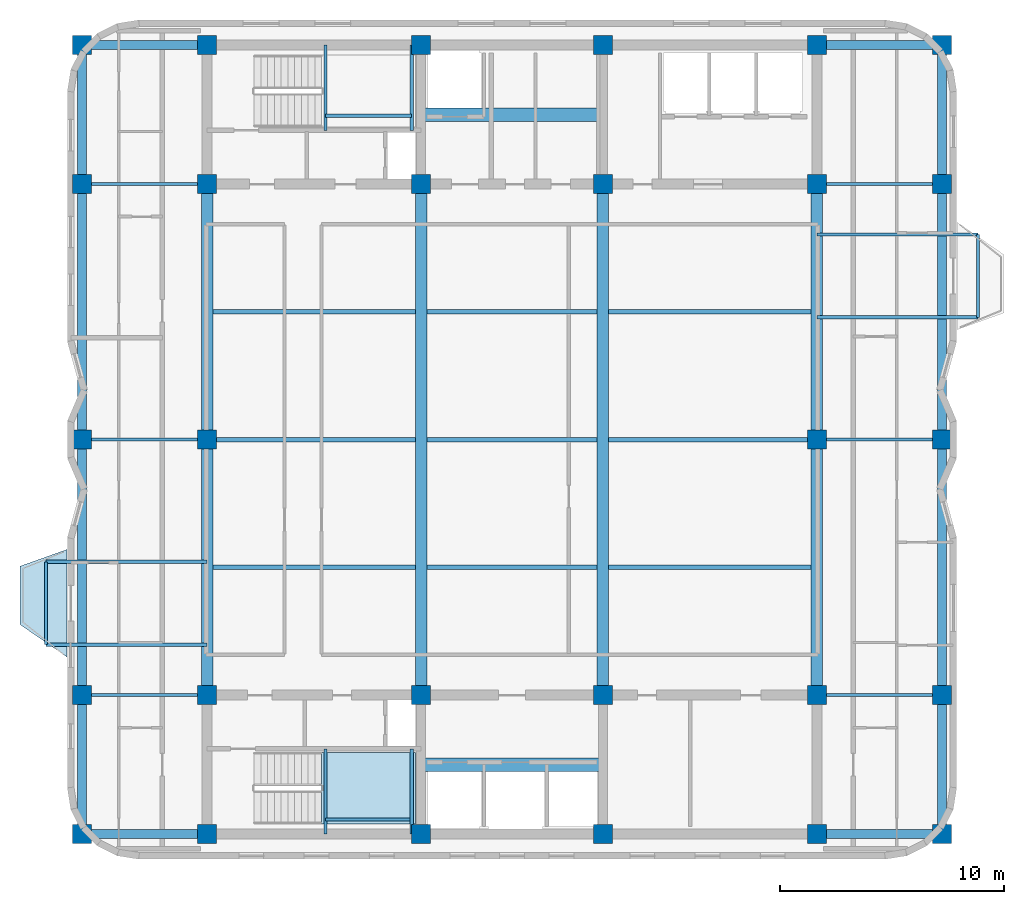
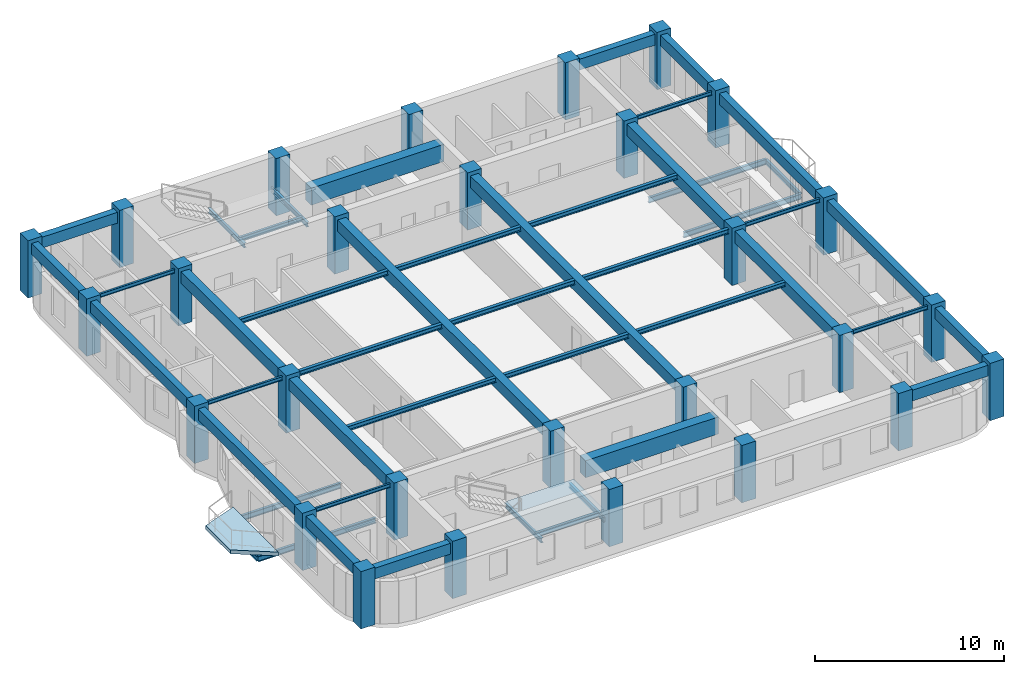
# One storey, part 1 of 8: 47 beams, 28 columns, 2 slabs, 1 element without a shape of its own.
"""IFC4 building model written with IfcOpenShell, lengths in metres."""

from ifc_helpers import new_model, si_unit, direction, frame, origin, origin_2d, place, context, subcontext, project, spatial, polyline, rectangle, i_section, outline, extrude, material, layer, layer_set, material_profile, profile_set, type_object, element, aggregate, save


model = new_model("IFC4")

# Units and contexts
model_context = context("Model", 3, precision=1e-05, world=origin(), true_north=direction((0.0, 1.0)))
body_context = subcontext(model_context, "Body", "Model", "MODEL_VIEW")
ifc_project = project(units=[si_unit("LENGTHUNIT", "METRE"), si_unit("AREAUNIT", "SQUARE_METRE"), si_unit("VOLUMEUNIT", "CUBIC_METRE"), si_unit("PLANEANGLEUNIT", "RADIAN"), si_unit("MASSUNIT", "GRAM", prefix="KILO")], contexts=[model_context])

# Site, building, storey
site_placement = place(None, origin())
site = spatial("IfcSite", under=ifc_project, at=site_placement, CompositionType="ELEMENT")
building_placement = place(site_placement, origin())
building = spatial("IfcBuilding", under=site, at=building_placement, Name="Svetorya Sky Lyceum", CompositionType="ELEMENT")
storey_placement = place(building_placement, frame((0.0, 0.0, 251.699951171875)))
storey = spatial("IfcBuildingStorey", under=building, at=storey_placement, Name="L63", CompositionType="ELEMENT", Elevation=251.699951171875)

# Columns
ifc_material_1 = material(Name="Concrete C50/60", Category="concrete")
ifc_material_profile_1 = material_profile(ifc_material_1, rectangle(XDim=0.85009765625, YDim=0.85009765625, at=origin_2d()), Name="RC COL 850x850")
ifc_profile_set_1 = profile_set([ifc_material_profile_1], Name="Concrete C50/60")
column_type = type_object("IfcColumnType", Name="COL-RC-850", PredefinedType="COLUMN", material=ifc_profile_set_1)
for number, where, z_axis, x_axis, name in (
    (1, (25.60009765625, 10.60009765625, 0.0), (0.0, 0.0, 1.0), (1.0, 0.0, 0.0), "L63 Core Column CS-11"),
    (2, (25.60009765625, 16.800048828125, 0.0), (0.0, 0.0, 1.0), (1.0, 0.0, 0.0), "L63 Core Column CS-12"),
    (3, (35.14990234375, 10.60009765625, 0.0), (0.0, 0.0, 1.0), (1.0, 0.0, 0.0), "L63 Core Column CS-21"),
    (4, (35.14990234375, 16.800048828125, 0.0), (0.0, 0.0, 1.0), (1.0, 0.0, 0.0), "L63 Core Column CS-22"),
    (5, (43.25, 10.60009765625, 0.0), (0.0, 0.0, 1.0), (1.0, 0.0, 0.0), "L63 Core Column CS-31"),
    (6, (43.25, 16.800048828125, 0.0), (0.0, 0.0, 1.0), (1.0, 0.0, 0.0), "L63 Core Column CS-32"),
    (7, (52.800048828125, 10.60009765625, 0.0), (0.0, 0.0, 1.0), (1.0, 0.0, 0.0), "L63 Core Column CS-41"),
    (8, (52.800048828125, 16.800048828125, 0.0), (0.0, 0.0, 1.0), (1.0, 0.0, 0.0), "L63 Core Column CS-42"),
    (9, (25.60009765625, 39.60009765625, 0.0), (0.0, 0.0, 1.0), (1.0, 0.0, 0.0), "L63 Core Column CN-11"),
    (10, (25.60009765625, 45.800048828125, 0.0), (0.0, 0.0, 1.0), (1.0, 0.0, 0.0), "L63 Core Column CN-12"),
    (11, (35.14990234375, 39.60009765625, 0.0), (0.0, 0.0, 1.0), (1.0, 0.0, 0.0), "L63 Core Column CN-21"),
    (12, (35.14990234375, 45.800048828125, 0.0), (0.0, 0.0, 1.0), (1.0, 0.0, 0.0), "L63 Core Column CN-22"),
    (13, (43.25, 39.60009765625, 0.0), (0.0, 0.0, 1.0), (1.0, 0.0, 0.0), "L63 Core Column CN-31"),
    (14, (43.25, 45.800048828125, 0.0), (0.0, 0.0, 1.0), (1.0, 0.0, 0.0), "L63 Core Column CN-32"),
    (15, (52.800048828125, 39.60009765625, 0.0), (0.0, 0.0, 1.0), (1.0, 0.0, 0.0), "L63 Core Column CN-41"),
    (16, (52.800048828125, 45.800048828125, 0.0), (0.0, 0.0, 1.0), (1.0, 0.0, 0.0), "L63 Core Column CN-42"),
    (17, (25.60009765625, 28.199951171875, 0.0), (0.0, 0.0, 1.0), (1.0, 0.0, 0.0), "L63 Core Column CM-W"),
    (18, (52.800048828125, 28.199951171875, 0.0), (0.0, 0.0, 1.0), (1.0, 0.0, 0.0), "L63 Core Column CM-E"),
    (19, (20.010009765625, 10.60009765625, 0.0), (0.0, 0.0, 1.0), (1.0, 0.0, 0.0), "L63 Perimeter Column W1"),
    (20, (58.389892578125, 10.60009765625, 0.0), (0.0, 0.0, 1.0), (1.0, 0.0, 0.0), "L63 Perimeter Column E1"),
    (21, (20.010009765625, 16.800048828125, 0.0), (0.0, 0.0, 1.0), (1.0, 0.0, 0.0), "L63 Perimeter Column W2"),
    (22, (58.389892578125, 16.800048828125, 0.0), (0.0, 0.0, 1.0), (1.0, 0.0, 0.0), "L63 Perimeter Column E2"),
    (23, (20.010009765625, 28.199951171875, 0.0), (0.0, 0.0, 1.0), (1.0, 0.0, 0.0), "L63 Perimeter Column W3"),
    (24, (58.389892578125, 28.199951171875, 0.0), (0.0, 0.0, 1.0), (1.0, 0.0, 0.0), "L63 Perimeter Column E3"),
    (25, (20.010009765625, 39.60009765625, 0.0), (0.0, 0.0, 1.0), (1.0, 0.0, 0.0), "L63 Perimeter Column W4"),
    (26, (58.389892578125, 39.60009765625, 0.0), (0.0, 0.0, 1.0), (1.0, 0.0, 0.0), "L63 Perimeter Column E4"),
    (27, (20.010009765625, 45.800048828125, 0.0), (0.0, 0.0, 1.0), (1.0, 0.0, 0.0), "L63 Perimeter Column W5"),
    (28, (58.389892578125, 45.800048828125, 0.0), (0.0, 0.0, 1.0), (1.0, 0.0, 0.0), "L63 Perimeter Column E5"),
):
    element("IfcColumn", number, at=place(storey_placement, frame(where, z_axis=z_axis, x_axis=x_axis)), inside=storey, type_object=column_type, Name=name, PredefinedType="COLUMN", context=body_context, shape_type="SweptSolid", body=[
        extrude(rectangle(XDim=0.85009765625, YDim=0.85009765625, at=origin_2d()), origin(), (0.0, 0.0, 1.0), 3.699951171875),
    ])

# Beams
ifc_material_2 = material(Name="Concrete C60/75", Category="concrete")
ifc_material_profile_2 = material_profile(ifc_material_2, rectangle(XDim=0.60009765625, YDim=1.10009765625, at=origin_2d()), Name="RC COUPLING 600x1100")
ifc_profile_set_2 = profile_set([ifc_material_profile_2], Name="Concrete C60/75")
beam_type_1 = type_object("IfcBeamType", Name="BM-CPL-1100", PredefinedType="LINTEL", material=ifc_profile_set_2)
for number, where, z_axis, x_axis, name in (
    (29, (35.14990234375, 13.699951171875, 2.900146484375), (1.0, 0.0, 0.0), (0.0, 1.0, 0.0), "L63 SC Core Coupling Beam"),
    (30, (35.14990234375, 42.699951171875, 2.900146484375), (1.0, 0.0, 0.0), (0.0, 1.0, 0.0), "L63 NC Core Coupling Beam"),
):
    element("IfcBeam", number, at=place(storey_placement, frame(where, z_axis=z_axis, x_axis=x_axis)), inside=storey, type_object=beam_type_1, Name=name, PredefinedType="LINTEL", context=body_context, shape_type="SweptSolid", body=[
        extrude(rectangle(XDim=0.60009765625, YDim=1.10009765625, at=origin_2d()), origin(), (0.0, 0.0, 1.0), 8.10009765625),
    ])
ifc_material_profile_3 = material_profile(ifc_material_1, rectangle(XDim=0.5, YDim=0.75, at=origin_2d()), Name="RC BEAM 500x750")
ifc_profile_set_3 = profile_set([ifc_material_profile_3], Name="Concrete C50/60")
beam_type_2 = type_object("IfcBeamType", Name="BM-RC-750", PredefinedType="BEAM", material=ifc_profile_set_3)
beam_1_placement = place(storey_placement, frame((25.60009765625, 16.800048828125, 3.074951171875), z_axis=(0.0, 1.0, 0.0), x_axis=(-1.0, 0.0, 0.0)))
element("IfcBeam", 31, at=beam_1_placement, inside=storey, type_object=beam_type_2, Name="L63 Central Bay Primary Girder CG-1A", PredefinedType="BEAM", context=body_context, shape_type="SweptSolid", body=[
    extrude(rectangle(XDim=0.5, YDim=0.75, at=origin_2d()), origin(), (0.0, 0.0, 1.0), 11.39990234375),
])
beam_2_placement = place(storey_placement, frame((25.60009765625, 28.199951171875, 3.074951171875), z_axis=(0.0, 1.0, 0.0), x_axis=(-1.0, 0.0, 0.0)))
element("IfcBeam", 32, at=beam_2_placement, inside=storey, type_object=beam_type_2, Name="L63 Central Bay Primary Girder CG-1B", PredefinedType="BEAM", context=body_context, shape_type="SweptSolid", body=[
    extrude(rectangle(XDim=0.5, YDim=0.75, at=origin_2d()), origin(), (0.0, 0.0, 1.0), 11.400146484375),
])
for number, where, z_axis, x_axis, name in (
    (33, (35.14990234375, 16.800048828125, 3.074951171875), (0.0, 1.0, 0.0), (-1.0, 0.0, 0.0), "L63 Central Bay Primary Girder CG-2"),
    (34, (43.25, 16.800048828125, 3.074951171875), (0.0, 1.0, 0.0), (-1.0, 0.0, 0.0), "L63 Central Bay Primary Girder CG-3"),
):
    element("IfcBeam", number, at=place(storey_placement, frame(where, z_axis=z_axis, x_axis=x_axis)), inside=storey, type_object=beam_type_2, Name=name, PredefinedType="BEAM", context=body_context, shape_type="SweptSolid", body=[
        extrude(rectangle(XDim=0.5, YDim=0.75, at=origin_2d()), origin(), (0.0, 0.0, 1.0), 22.800048828125),
    ])
beam_3_placement = place(storey_placement, frame((52.800048828125, 16.800048828125, 3.074951171875), z_axis=(0.0, 1.0, 0.0), x_axis=(-1.0, 0.0, 0.0)))
element("IfcBeam", 35, at=beam_3_placement, inside=storey, type_object=beam_type_2, Name="L63 Central Bay Primary Girder CG-4A", PredefinedType="BEAM", context=body_context, shape_type="SweptSolid", body=[
    extrude(rectangle(XDim=0.5, YDim=0.75, at=origin_2d()), origin(), (0.0, 0.0, 1.0), 11.39990234375),
])
beam_4_placement = place(storey_placement, frame((52.800048828125, 28.199951171875, 3.074951171875), z_axis=(0.0, 1.0, 0.0), x_axis=(-1.0, 0.0, 0.0)))
element("IfcBeam", 36, at=beam_4_placement, inside=storey, type_object=beam_type_2, Name="L63 Central Bay Primary Girder CG-4B", PredefinedType="BEAM", context=body_context, shape_type="SweptSolid", body=[
    extrude(rectangle(XDim=0.5, YDim=0.75, at=origin_2d()), origin(), (0.0, 0.0, 1.0), 11.400146484375),
])
ifc_material_profile_4 = material_profile(ifc_material_1, rectangle(XDim=0.39990234375, YDim=0.699951171875, at=origin_2d()), Name="RC SPANDREL 400x700")
ifc_profile_set_4 = profile_set([ifc_material_profile_4], Name="Concrete C50/60")
beam_type_3 = type_object("IfcBeamType", Name="BM-SPN-700", PredefinedType="SPANDREL", material=ifc_profile_set_4)
for number, where, z_axis, x_axis, name in (
    (37, (20.010009765625, 10.60009765625, 3.10009765625), (1.0, 0.0, 0.0), (0.0, 1.0, 0.0), "L63 Tie Spandrel SW"),
    (38, (20.010009765625, 45.800048828125, 3.10009765625), (1.0, 0.0, 0.0), (0.0, 1.0, 0.0), "L63 Tie Spandrel NW"),
):
    element("IfcBeam", number, at=place(storey_placement, frame(where, z_axis=z_axis, x_axis=x_axis)), inside=storey, type_object=beam_type_3, Name=name, PredefinedType="SPANDREL", context=body_context, shape_type="SweptSolid", body=[
        extrude(rectangle(XDim=0.39990234375, YDim=0.699951171875, at=origin_2d()), origin(), (0.0, 0.0, 1.0), 5.590087890625),
    ])
for number, where, z_axis, x_axis, name in (
    (39, (52.800048828125, 10.60009765625, 3.10009765625), (1.0, 0.0, 0.0), (0.0, 1.0, 0.0), "L63 Tie Spandrel SE"),
    (40, (52.800048828125, 45.800048828125, 3.10009765625), (1.0, 0.0, 0.0), (0.0, 1.0, 0.0), "L63 Tie Spandrel NE"),
):
    element("IfcBeam", number, at=place(storey_placement, frame(where, z_axis=z_axis, x_axis=x_axis)), inside=storey, type_object=beam_type_3, Name=name, PredefinedType="SPANDREL", context=body_context, shape_type="SweptSolid", body=[
        extrude(rectangle(XDim=0.39990234375, YDim=0.699951171875, at=origin_2d()), origin(), (0.0, 0.0, 1.0), 5.58984375),
    ])
beam_5_placement = place(storey_placement, frame((20.010009765625, 10.60009765625, 3.10009765625), z_axis=(0.0, 1.0, 0.0), x_axis=(-1.0, 0.0, 0.0)))
element("IfcBeam", 41, at=beam_5_placement, inside=storey, type_object=beam_type_3, Name="L63 West Spandrel 1", PredefinedType="SPANDREL", context=body_context, shape_type="SweptSolid", body=[
    extrude(rectangle(XDim=0.39990234375, YDim=0.699951171875, at=origin_2d()), origin(), (0.0, 0.0, 1.0), 6.199951171875),
])
beam_6_placement = place(storey_placement, frame((20.010009765625, 16.800048828125, 3.10009765625), z_axis=(0.0, 1.0, 0.0), x_axis=(-1.0, 0.0, 0.0)))
element("IfcBeam", 42, at=beam_6_placement, inside=storey, type_object=beam_type_3, Name="L63 West Spandrel 2", PredefinedType="SPANDREL", context=body_context, shape_type="SweptSolid", body=[
    extrude(rectangle(XDim=0.39990234375, YDim=0.699951171875, at=origin_2d()), origin(), (0.0, 0.0, 1.0), 11.39990234375),
])
beam_7_placement = place(storey_placement, frame((20.010009765625, 28.199951171875, 3.10009765625), z_axis=(0.0, 1.0, 0.0), x_axis=(-1.0, 0.0, 0.0)))
element("IfcBeam", 43, at=beam_7_placement, inside=storey, type_object=beam_type_3, Name="L63 West Spandrel 3", PredefinedType="SPANDREL", context=body_context, shape_type="SweptSolid", body=[
    extrude(rectangle(XDim=0.39990234375, YDim=0.699951171875, at=origin_2d()), origin(), (0.0, 0.0, 1.0), 11.400146484375),
])
for number, where, z_axis, x_axis, name in (
    (44, (20.010009765625, 39.60009765625, 3.10009765625), (0.0, 1.0, 0.0), (-1.0, 0.0, 0.0), "L63 West Spandrel 4"),
    (45, (58.389892578125, 10.60009765625, 3.10009765625), (0.0, 1.0, 0.0), (-1.0, 0.0, 0.0), "L63 East Spandrel 1"),
):
    element("IfcBeam", number, at=place(storey_placement, frame(where, z_axis=z_axis, x_axis=x_axis)), inside=storey, type_object=beam_type_3, Name=name, PredefinedType="SPANDREL", context=body_context, shape_type="SweptSolid", body=[
        extrude(rectangle(XDim=0.39990234375, YDim=0.699951171875, at=origin_2d()), origin(), (0.0, 0.0, 1.0), 6.199951171875),
    ])
beam_8_placement = place(storey_placement, frame((58.389892578125, 16.800048828125, 3.10009765625), z_axis=(0.0, 1.0, 0.0), x_axis=(-1.0, 0.0, 0.0)))
element("IfcBeam", 46, at=beam_8_placement, inside=storey, type_object=beam_type_3, Name="L63 East Spandrel 2", PredefinedType="SPANDREL", context=body_context, shape_type="SweptSolid", body=[
    extrude(rectangle(XDim=0.39990234375, YDim=0.699951171875, at=origin_2d()), origin(), (0.0, 0.0, 1.0), 11.39990234375),
])
beam_9_placement = place(storey_placement, frame((58.389892578125, 28.199951171875, 3.10009765625), z_axis=(0.0, 1.0, 0.0), x_axis=(-1.0, 0.0, 0.0)))
element("IfcBeam", 47, at=beam_9_placement, inside=storey, type_object=beam_type_3, Name="L63 East Spandrel 3", PredefinedType="SPANDREL", context=body_context, shape_type="SweptSolid", body=[
    extrude(rectangle(XDim=0.39990234375, YDim=0.699951171875, at=origin_2d()), origin(), (0.0, 0.0, 1.0), 11.400146484375),
])
beam_10_placement = place(storey_placement, frame((58.389892578125, 39.60009765625, 3.10009765625), z_axis=(0.0, 1.0, 0.0), x_axis=(-1.0, 0.0, 0.0)))
element("IfcBeam", 48, at=beam_10_placement, inside=storey, type_object=beam_type_3, Name="L63 East Spandrel 4", PredefinedType="SPANDREL", context=body_context, shape_type="SweptSolid", body=[
    extrude(rectangle(XDim=0.39990234375, YDim=0.699951171875, at=origin_2d()), origin(), (0.0, 0.0, 1.0), 6.199951171875),
])
ifc_material_3 = material(Name="Steel S355", Category="steel")
ifc_material_profile_5 = material_profile(ifc_material_3, i_section(OverallWidth=0.1240234375, OverallDepth=0.248046875, WebThickness=0.006103515625, FlangeThickness=0.009521484375, at=origin_2d()), Name="GOST 25B2")
ifc_profile_set_5 = profile_set([ifc_material_profile_5], Name="Steel S355")
beam_type_4 = type_object("IfcBeamType", Name="BM-STL-25B2", PredefinedType="JOIST", material=ifc_profile_set_5)
beam_11_placement = place(storey_placement, frame((20.010009765625, 16.800048828125, 3.325927734375), z_axis=(1.0, 0.0, 0.0), x_axis=(0.0, 1.0, 0.0)))
element("IfcBeam", 49, at=beam_11_placement, inside=storey, type_object=beam_type_4, Name="L63 West Wing Floor Joist W2", PredefinedType="JOIST", context=body_context, shape_type="SweptSolid", body=[
    extrude(i_section(OverallWidth=0.1240234375, OverallDepth=0.248046875, WebThickness=0.006103515625, FlangeThickness=0.009521484375, at=origin_2d()), origin(), (0.0, 0.0, 1.0), 5.590087890625),
])
beam_12_placement = place(storey_placement, frame((52.800048828125, 16.800048828125, 3.325927734375), z_axis=(1.0, 0.0, 0.0), x_axis=(0.0, 1.0, 0.0)))
element("IfcBeam", 50, at=beam_12_placement, inside=storey, type_object=beam_type_4, Name="L63 East Wing Floor Joist E2", PredefinedType="JOIST", context=body_context, shape_type="SweptSolid", body=[
    extrude(i_section(OverallWidth=0.1240234375, OverallDepth=0.248046875, WebThickness=0.006103515625, FlangeThickness=0.009521484375, at=origin_2d()), origin(), (0.0, 0.0, 1.0), 5.58984375),
])
beam_13_placement = place(storey_placement, frame((20.010009765625, 28.199951171875, 3.325927734375), z_axis=(1.0, 0.0, 0.0), x_axis=(0.0, 1.0, 0.0)))
element("IfcBeam", 51, at=beam_13_placement, inside=storey, type_object=beam_type_4, Name="L63 West Wing Floor Joist W3", PredefinedType="JOIST", context=body_context, shape_type="SweptSolid", body=[
    extrude(i_section(OverallWidth=0.1240234375, OverallDepth=0.248046875, WebThickness=0.006103515625, FlangeThickness=0.009521484375, at=origin_2d()), origin(), (0.0, 0.0, 1.0), 5.590087890625),
])
beam_14_placement = place(storey_placement, frame((52.800048828125, 28.199951171875, 3.325927734375), z_axis=(1.0, 0.0, 0.0), x_axis=(0.0, 1.0, 0.0)))
element("IfcBeam", 52, at=beam_14_placement, inside=storey, type_object=beam_type_4, Name="L63 East Wing Floor Joist E3", PredefinedType="JOIST", context=body_context, shape_type="SweptSolid", body=[
    extrude(i_section(OverallWidth=0.1240234375, OverallDepth=0.248046875, WebThickness=0.006103515625, FlangeThickness=0.009521484375, at=origin_2d()), origin(), (0.0, 0.0, 1.0), 5.58984375),
])
beam_15_placement = place(storey_placement, frame((20.010009765625, 39.60009765625, 3.325927734375), z_axis=(1.0, 0.0, 0.0), x_axis=(0.0, 1.0, 0.0)))
element("IfcBeam", 53, at=beam_15_placement, inside=storey, type_object=beam_type_4, Name="L63 West Wing Floor Joist W4", PredefinedType="JOIST", context=body_context, shape_type="SweptSolid", body=[
    extrude(i_section(OverallWidth=0.1240234375, OverallDepth=0.248046875, WebThickness=0.006103515625, FlangeThickness=0.009521484375, at=origin_2d()), origin(), (0.0, 0.0, 1.0), 5.590087890625),
])
beam_16_placement = place(storey_placement, frame((52.800048828125, 39.60009765625, 3.325927734375), z_axis=(1.0, 0.0, 0.0), x_axis=(0.0, 1.0, 0.0)))
element("IfcBeam", 54, at=beam_16_placement, inside=storey, type_object=beam_type_4, Name="L63 East Wing Floor Joist E4", PredefinedType="JOIST", context=body_context, shape_type="SweptSolid", body=[
    extrude(i_section(OverallWidth=0.1240234375, OverallDepth=0.248046875, WebThickness=0.006103515625, FlangeThickness=0.009521484375, at=origin_2d()), origin(), (0.0, 0.0, 1.0), 5.58984375),
])
ifc_material_profile_6 = material_profile(ifc_material_3, i_section(OverallWidth=0.14990234375, OverallDepth=0.299072265625, WebThickness=0.006591796875, FlangeThickness=0.010498046875, at=origin_2d()), Name="GOST 30B2")
ifc_profile_set_6 = profile_set([ifc_material_profile_6], Name="Steel S355")
beam_type_5 = type_object("IfcBeamType", Name="BM-STL-30B2", PredefinedType="JOIST", material=ifc_profile_set_6)
beam_17_placement = place(storey_placement, frame((18.409912109375, 19.050048828125, -0.424560546875), z_axis=(0.0, 1.0, 0.0), x_axis=(-1.0, 0.0, 0.0)))
element("IfcBeam", 55, at=beam_17_placement, inside=storey, type_object=beam_type_5, Name="L63 Balcony Edge Tie BAL-W1", PredefinedType="JOIST", context=body_context, shape_type="SweptSolid", body=[
    extrude(i_section(OverallWidth=0.14990234375, OverallDepth=0.299072265625, WebThickness=0.006591796875, FlangeThickness=0.010498046875, at=origin_2d()), origin(), (0.0, 0.0, 1.0), 3.699951171875),
])
beam_18_placement = place(storey_placement, frame((59.989990234375, 33.64990234375, -0.424560546875), z_axis=(0.0, 1.0, 0.0), x_axis=(-1.0, 0.0, 0.0)))
element("IfcBeam", 56, at=beam_18_placement, inside=storey, type_object=beam_type_5, Name="L63 Balcony Edge Tie BAL-E1", PredefinedType="JOIST", context=body_context, shape_type="SweptSolid", body=[
    extrude(i_section(OverallWidth=0.14990234375, OverallDepth=0.299072265625, WebThickness=0.006591796875, FlangeThickness=0.010498046875, at=origin_2d()), origin(), (0.0, 0.0, 1.0), 3.7001953125),
])
for number, where, z_axis, x_axis, name in (
    (57, (30.8798828125, 10.60009765625, 1.50048828125), (0.0, 1.0, 0.0), (-1.0, 0.0, 0.0), "L63 Stair ST-S Half-Landing Support Beam 71.1"),
    (58, (34.719970703125, 10.60009765625, 1.50048828125), (0.0, 1.0, 0.0), (-1.0, 0.0, 0.0), "L63 Stair ST-S Half-Landing Support Beam 71.2"),
):
    element("IfcBeam", number, at=place(storey_placement, frame(where, z_axis=z_axis, x_axis=x_axis)), inside=storey, type_object=beam_type_5, Name=name, PredefinedType="JOIST", context=body_context, shape_type="SweptSolid", body=[
        extrude(i_section(OverallWidth=0.14990234375, OverallDepth=0.299072265625, WebThickness=0.006591796875, FlangeThickness=0.010498046875, at=origin_2d()), origin(), (0.0, 0.0, 1.0), 3.7998046875),
    ])
beam_19_placement = place(storey_placement, frame((30.8798828125, 11.25, 1.50048828125), z_axis=(1.0, 0.0, 0.0), x_axis=(0.0, 1.0, 0.0)))
element("IfcBeam", 59, at=beam_19_placement, inside=storey, type_object=beam_type_5, Name="L63 Stair ST-S Half-Landing Cross Tie 71", PredefinedType="JOIST", context=body_context, shape_type="SweptSolid", body=[
    extrude(i_section(OverallWidth=0.14990234375, OverallDepth=0.299072265625, WebThickness=0.006591796875, FlangeThickness=0.010498046875, at=origin_2d()), origin(), (0.0, 0.0, 1.0), 3.840087890625),
])
for number, where, z_axis, x_axis, name in (
    (60, (30.8798828125, 42.0, 1.50048828125), (0.0, 1.0, 0.0), (-1.0, 0.0, 0.0), "L63 Stair ST-N Half-Landing Support Beam 71.1"),
    (61, (34.719970703125, 42.0, 1.50048828125), (0.0, 1.0, 0.0), (-1.0, 0.0, 0.0), "L63 Stair ST-N Half-Landing Support Beam 71.2"),
):
    element("IfcBeam", number, at=place(storey_placement, frame(where, z_axis=z_axis, x_axis=x_axis)), inside=storey, type_object=beam_type_5, Name=name, PredefinedType="JOIST", context=body_context, shape_type="SweptSolid", body=[
        extrude(i_section(OverallWidth=0.14990234375, OverallDepth=0.299072265625, WebThickness=0.006591796875, FlangeThickness=0.010498046875, at=origin_2d()), origin(), (0.0, 0.0, 1.0), 3.800048828125),
    ])
beam_20_placement = place(storey_placement, frame((30.8798828125, 42.64990234375, 1.50048828125), z_axis=(1.0, 0.0, 0.0), x_axis=(0.0, 1.0, 0.0)))
element("IfcBeam", 62, at=beam_20_placement, inside=storey, type_object=beam_type_5, Name="L63 Stair ST-N Half-Landing Cross Tie 71", PredefinedType="JOIST", context=body_context, shape_type="SweptSolid", body=[
    extrude(i_section(OverallWidth=0.14990234375, OverallDepth=0.299072265625, WebThickness=0.006591796875, FlangeThickness=0.010498046875, at=origin_2d()), origin(), (0.0, 0.0, 1.0), 3.840087890625),
])
ifc_material_profile_7 = material_profile(ifc_material_3, i_section(OverallWidth=0.199951171875, OverallDepth=0.298095703125, WebThickness=0.008544921875, FlangeThickness=0.012939453125, at=origin_2d()), Name="GOST 30Sh2")
ifc_profile_set_7 = profile_set([ifc_material_profile_7], Name="Steel S355")
beam_type_6 = type_object("IfcBeamType", Name="BM-STL-30SH2", PredefinedType="BEAM", material=ifc_profile_set_7)
beam_21_placement = place(storey_placement, frame((25.85009765625, 22.5, 3.301025390625), z_axis=(1.0, 0.0, 0.0), x_axis=(0.0, 1.0, 0.0)))
element("IfcBeam", 63, at=beam_21_placement, inside=storey, type_object=beam_type_6, Name="L63 Central Floor Joist CJ-1.1", PredefinedType="BEAM", context=body_context, shape_type="SweptSolid", body=[
    extrude(i_section(OverallWidth=0.199951171875, OverallDepth=0.298095703125, WebThickness=0.008544921875, FlangeThickness=0.012939453125, at=origin_2d()), origin(), (0.0, 0.0, 1.0), 9.0498046875),
])
beam_22_placement = place(storey_placement, frame((35.39990234375, 22.5, 3.301025390625), z_axis=(1.0, 0.0, 0.0), x_axis=(0.0, 1.0, 0.0)))
element("IfcBeam", 64, at=beam_22_placement, inside=storey, type_object=beam_type_6, Name="L63 Central Floor Joist CJ-1.2", PredefinedType="BEAM", context=body_context, shape_type="SweptSolid", body=[
    extrude(i_section(OverallWidth=0.199951171875, OverallDepth=0.298095703125, WebThickness=0.008544921875, FlangeThickness=0.012939453125, at=origin_2d()), origin(), (0.0, 0.0, 1.0), 7.60009765625),
])
beam_23_placement = place(storey_placement, frame((43.5, 22.5, 3.301025390625), z_axis=(1.0, 0.0, 0.0), x_axis=(0.0, 1.0, 0.0)))
element("IfcBeam", 65, at=beam_23_placement, inside=storey, type_object=beam_type_6, Name="L63 Central Floor Joist CJ-1.3", PredefinedType="BEAM", context=body_context, shape_type="SweptSolid", body=[
    extrude(i_section(OverallWidth=0.199951171875, OverallDepth=0.298095703125, WebThickness=0.008544921875, FlangeThickness=0.012939453125, at=origin_2d()), origin(), (0.0, 0.0, 1.0), 9.050048828125),
])
beam_24_placement = place(storey_placement, frame((25.85009765625, 28.199951171875, 3.301025390625), z_axis=(1.0, 0.0, 0.0), x_axis=(0.0, 1.0, 0.0)))
element("IfcBeam", 66, at=beam_24_placement, inside=storey, type_object=beam_type_6, Name="L63 Central Floor Joist CJ-2.1", PredefinedType="BEAM", context=body_context, shape_type="SweptSolid", body=[
    extrude(i_section(OverallWidth=0.199951171875, OverallDepth=0.298095703125, WebThickness=0.008544921875, FlangeThickness=0.012939453125, at=origin_2d()), origin(), (0.0, 0.0, 1.0), 9.0498046875),
])
beam_25_placement = place(storey_placement, frame((35.39990234375, 28.199951171875, 3.301025390625), z_axis=(1.0, 0.0, 0.0), x_axis=(0.0, 1.0, 0.0)))
element("IfcBeam", 67, at=beam_25_placement, inside=storey, type_object=beam_type_6, Name="L63 Central Floor Joist CJ-2.2", PredefinedType="BEAM", context=body_context, shape_type="SweptSolid", body=[
    extrude(i_section(OverallWidth=0.199951171875, OverallDepth=0.298095703125, WebThickness=0.008544921875, FlangeThickness=0.012939453125, at=origin_2d()), origin(), (0.0, 0.0, 1.0), 7.60009765625),
])
beam_26_placement = place(storey_placement, frame((43.5, 28.199951171875, 3.301025390625), z_axis=(1.0, 0.0, 0.0), x_axis=(0.0, 1.0, 0.0)))
element("IfcBeam", 68, at=beam_26_placement, inside=storey, type_object=beam_type_6, Name="L63 Central Floor Joist CJ-2.3", PredefinedType="BEAM", context=body_context, shape_type="SweptSolid", body=[
    extrude(i_section(OverallWidth=0.199951171875, OverallDepth=0.298095703125, WebThickness=0.008544921875, FlangeThickness=0.012939453125, at=origin_2d()), origin(), (0.0, 0.0, 1.0), 9.050048828125),
])
beam_27_placement = place(storey_placement, frame((25.85009765625, 33.89990234375, 3.301025390625), z_axis=(1.0, 0.0, 0.0), x_axis=(0.0, 1.0, 0.0)))
element("IfcBeam", 69, at=beam_27_placement, inside=storey, type_object=beam_type_6, Name="L63 Central Floor Joist CJ-3.1", PredefinedType="BEAM", context=body_context, shape_type="SweptSolid", body=[
    extrude(i_section(OverallWidth=0.199951171875, OverallDepth=0.298095703125, WebThickness=0.008544921875, FlangeThickness=0.012939453125, at=origin_2d()), origin(), (0.0, 0.0, 1.0), 9.0498046875),
])
beam_28_placement = place(storey_placement, frame((35.39990234375, 33.89990234375, 3.301025390625), z_axis=(1.0, 0.0, 0.0), x_axis=(0.0, 1.0, 0.0)))
element("IfcBeam", 70, at=beam_28_placement, inside=storey, type_object=beam_type_6, Name="L63 Central Floor Joist CJ-3.2", PredefinedType="BEAM", context=body_context, shape_type="SweptSolid", body=[
    extrude(i_section(OverallWidth=0.199951171875, OverallDepth=0.298095703125, WebThickness=0.008544921875, FlangeThickness=0.012939453125, at=origin_2d()), origin(), (0.0, 0.0, 1.0), 7.60009765625),
])
beam_29_placement = place(storey_placement, frame((43.5, 33.89990234375, 3.301025390625), z_axis=(1.0, 0.0, 0.0), x_axis=(0.0, 1.0, 0.0)))
element("IfcBeam", 71, at=beam_29_placement, inside=storey, type_object=beam_type_6, Name="L63 Central Floor Joist CJ-3.3", PredefinedType="BEAM", context=body_context, shape_type="SweptSolid", body=[
    extrude(i_section(OverallWidth=0.199951171875, OverallDepth=0.298095703125, WebThickness=0.008544921875, FlangeThickness=0.012939453125, at=origin_2d()), origin(), (0.0, 0.0, 1.0), 9.050048828125),
])
ifc_material_profile_8 = material_profile(ifc_material_3, i_section(OverallWidth=0.155029296875, OverallDepth=0.34912109375, WebThickness=0.007080078125, FlangeThickness=0.011474609375, at=origin_2d()), Name="GOST 35B2")
ifc_profile_set_8 = profile_set([ifc_material_profile_8], Name="Steel S355")
beam_type_7 = type_object("IfcBeamType", Name="BM-STL-35B2", PredefinedType="JOIST", material=ifc_profile_set_8)
for number, where, z_axis, x_axis, name in (
    (72, (25.60009765625, 19.050048828125, -0.424560546875), (-1.0, 0.0, 0.0), (0.0, -1.0, 0.0), "L63 Balcony Cantilever Beam BAL-W1-1"),
    (73, (25.60009765625, 22.75, -0.424560546875), (-1.0, 0.0, 0.0), (0.0, -1.0, 0.0), "L63 Balcony Cantilever Beam BAL-W1-2"),
):
    element("IfcBeam", number, at=place(storey_placement, frame(where, z_axis=z_axis, x_axis=x_axis)), inside=storey, type_object=beam_type_7, Name=name, PredefinedType="JOIST", context=body_context, shape_type="SweptSolid", body=[
        extrude(i_section(OverallWidth=0.155029296875, OverallDepth=0.34912109375, WebThickness=0.007080078125, FlangeThickness=0.011474609375, at=origin_2d()), origin(), (0.0, 0.0, 1.0), 7.190185546875),
    ])
for number, where, z_axis, x_axis, name in (
    (74, (52.800048828125, 33.64990234375, -0.424560546875), (1.0, 0.0, 0.0), (0.0, 1.0, 0.0), "L63 Balcony Cantilever Beam BAL-E1-1"),
    (75, (52.800048828125, 37.35009765625, -0.424560546875), (1.0, 0.0, 0.0), (0.0, 1.0, 0.0), "L63 Balcony Cantilever Beam BAL-E1-2"),
):
    element("IfcBeam", number, at=place(storey_placement, frame(where, z_axis=z_axis, x_axis=x_axis)), inside=storey, type_object=beam_type_7, Name=name, PredefinedType="JOIST", context=body_context, shape_type="SweptSolid", body=[
        extrude(i_section(OverallWidth=0.155029296875, OverallDepth=0.34912109375, WebThickness=0.007080078125, FlangeThickness=0.011474609375, at=origin_2d()), origin(), (0.0, 0.0, 1.0), 7.18994140625),
    ])

# Slab
ifc_material_4 = material(Name="Concrete C40/50", Category="concrete")
ifc_layer_1 = layer(ifc_material_4, 0.25)
ifc_layer_set_1 = layer_set([ifc_layer_1], Name="Concrete C40/50")
slab_type_1 = type_object("IfcSlabType", Name="SL-BAL-250", PredefinedType="FLOOR", material=ifc_layer_set_1)
slab_1_placement = place(storey_placement, frame((0.0, 0.0, -0.25)))
element("IfcSlab", 76, at=slab_1_placement, inside=storey, type_object=slab_type_1, Name="L63 Chamfered Loggia Balcony BAL-W1", PredefinedType="FLOOR", context=body_context, shape_type="SweptSolid", body=[
    extrude(outline(polyline([(19.35009765625, 18.5), (19.35009765625, 23.300048828125), (17.25, 22.550048828125), (17.25, 19.949951171875), (19.35009765625, 18.5)])), origin(), (0.0, 0.0, 1.0), 0.25),
])

# Stair, slab
stair_type = type_object("IfcStairType", Name="STR-ST-S", PredefinedType="HALF_TURN_STAIR", material=ifc_material_4)
stair_placement = place(storey_placement, origin())
stair = element("IfcStair", 77, at=stair_placement, inside=storey, type_object=stair_type, Name="L63 South Core Smoke-Free Exit Stair N2", PredefinedType="HALF_TURN_STAIR")
ifc_layer_2 = layer(ifc_material_4, 0.199951171875)
ifc_layer_set_2 = layer_set([ifc_layer_2], Name="Concrete C40/50")
slab_type_2 = type_object("IfcSlabType", Name="SL-STR-LAND-200", PredefinedType="LANDING", material=ifc_layer_set_2)
slab_2_placement = place(storey_placement, frame((0.0, 0.0, 1.650146484375)))
slab_2 = element("IfcSlab", 78, at=slab_2_placement, type_object=slab_type_2, Name="ST-S landing 1", PredefinedType="LANDING", context=body_context, shape_type="SweptSolid", body=[
    extrude(outline(polyline([(30.699951171875, 11.050048828125), (34.89990234375, 11.050048828125), (34.89990234375, 14.25), (30.699951171875, 14.25), (30.699951171875, 11.050048828125)])), origin(), (0.0, 0.0, 1.0), 0.199951171875),
])
aggregate(stair, [slab_2])

save(model, "model.ifc")
